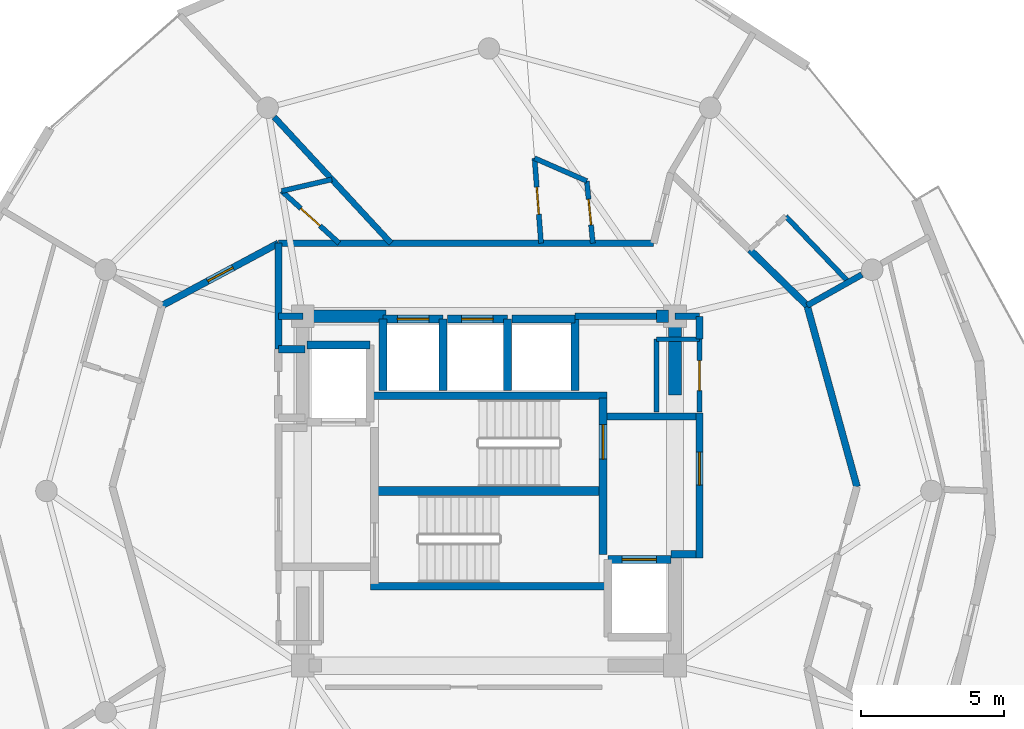
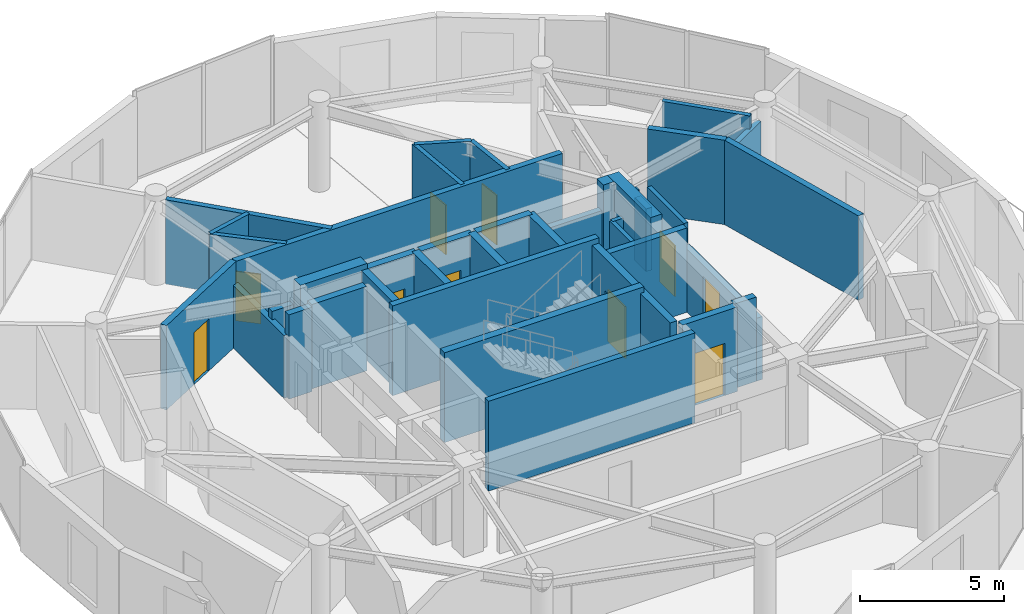
# One storey, part 18 of 22: 40 walls, 10 doors, 10 openings.
"""IFC4 building model written with IfcOpenShell, lengths in metres."""

import ifcopenshell
import ifcopenshell.guid

model = None  # the IFC model being written
_history = None  # IfcOwnerHistory: only IFC2X3 demands one
_inside = {}  # id of a spatial element -> (the spatial element, [elements in it])
_under = {}  # id of a project, library or spatial element -> (it, [spatial elements below it])
_declared = {}  # id of a project -> (the project, [libraries it declares])
_typed = {}  # id of a type object -> (the type object, [elements of that type])
_made_of = {}  # id of a material, layer set ... -> (it, [elements and type objects made of it])


def new_model(schema):
    """Start an empty IFC model of exactly this schema.

    Asked for "IFC4X3", IfcOpenShell would pick the latest addendum, in which some entities
    have other attributes; the version numbers below select the first issue.
    IFC2X3 requires an IfcOwnerHistory on every rooted entity: one is made here for all.
    """
    global model, _history
    if schema == "IFC4X3":
        model = ifcopenshell.file(schema_version=(4, 3, 0, 0))
    else:
        model = ifcopenshell.file(schema=schema)
    _inside.clear()
    _under.clear()
    _declared.clear()
    _typed.clear()
    _made_of.clear()
    _history = None
    if model.schema == "IFC2X3":
        org = make("IfcOrganization", Name="unknown")
        user = make(
            "IfcPersonAndOrganization",
            ThePerson=make("IfcPerson", FamilyName="unknown"),
            TheOrganization=org,
        )
        app = make(
            "IfcApplication",
            ApplicationDeveloper=org,
            Version="unknown",
            ApplicationFullName="unknown",
            ApplicationIdentifier="unknown",
        )
        _history = make(
            "IfcOwnerHistory",
            OwningUser=user,
            OwningApplication=app,
            ChangeAction="ADDED",
            CreationDate=0,
        )
    return model


def make(cls, **values):
    """One entity of the class cls with the attributes given. An attribute that is None is left unset."""
    return model.create_entity(
        cls, **{name: value for name, value in values.items() if value is not None}
    )


def rooted(cls, **values):
    """An entity with a GlobalId (a new one), such as an element, a storey or a relation."""
    return make(cls, GlobalId=ifcopenshell.guid.new(), OwnerHistory=_history, **values)


def si_unit(unit_type, name, prefix=None):
    """IfcSIUnit, for example si_unit("LENGTHUNIT", "METRE", prefix="MILLI")."""
    return make("IfcSIUnit", UnitType=unit_type, Prefix=prefix, Name=name)


def assignment(units):
    """IfcUnitAssignment: the units of a project."""
    return None if units is None else make("IfcUnitAssignment", Units=units)


def point(xyz):
    """IfcCartesianPoint."""
    return None if xyz is None else make("IfcCartesianPoint", Coordinates=xyz)


def direction(xyz):
    """IfcDirection."""
    return None if xyz is None else make("IfcDirection", DirectionRatios=xyz)


def frame(location, z_axis=None, x_axis=None):
    """IfcAxis2Placement3D, a coordinate frame: its origin and axes. An axis left out is left unset."""
    return make(
        "IfcAxis2Placement3D",
        Location=point(location),
        Axis=direction(z_axis),
        RefDirection=direction(x_axis),
    )


def frame_2d(location, x_axis=None):
    """IfcAxis2Placement2D, a coordinate frame in the plane: its origin and x axis."""
    return make(
        "IfcAxis2Placement2D", Location=point(location), RefDirection=direction(x_axis)
    )


def origin():
    """The frame at (0, 0, 0) with its axes left unset."""
    return frame((0.0, 0.0, 0.0))


def place(relative_to, where):
    """IfcLocalPlacement: puts the frame where relative to a parent placement (None: the world)."""
    return make(
        "IfcLocalPlacement", PlacementRelTo=relative_to, RelativePlacement=where
    )


def context(
    kind, dimensions, precision=None, world=None, true_north=None, identifier=None
):
    """IfcGeometricRepresentationContext, for example the 3D "Model" context."""
    return make(
        "IfcGeometricRepresentationContext",
        ContextIdentifier=identifier,
        ContextType=kind,
        CoordinateSpaceDimension=dimensions,
        Precision=precision,
        WorldCoordinateSystem=world,
        TrueNorth=true_north,
    )


def subcontext(parent, identifier, kind, view, scale=None):
    """IfcGeometricRepresentationSubContext, for example "Body" below "Model"."""
    return make(
        "IfcGeometricRepresentationSubContext",
        ContextIdentifier=identifier,
        ContextType=kind,
        ParentContext=parent,
        TargetScale=scale,
        TargetView=view,
    )


def project(units=None, contexts=None):
    """IfcProject with its units and contexts."""
    return rooted(
        "IfcProject",
        Name="project",
        RepresentationContexts=contexts,
        UnitsInContext=assignment(units),
    )


def spatial(cls, under=None, at=None, **own):
    """A site, building, storey or space (cls), placed at a placement, below another one or the project."""
    s = rooted(cls, ObjectPlacement=at, **own)
    if under is not None:
        _under.setdefault(under.id(), (under, []))[1].append(s)
    return s


def profile(cls, at=None, kind="AREA", **sizes):
    """A parametric profile (cls). Its sizes go by their IFC names, for example OverallWidth=200.0."""
    return make(cls, ProfileType=kind, Position=at, **sizes)


def rectangle(**sizes):
    """IfcRectangleProfileDef."""
    return profile("IfcRectangleProfileDef", **sizes)


def extrude(swept, where, along, depth):
    """IfcExtrudedAreaSolid: the profile swept, set in the frame where, extruded along a direction by depth."""
    return make(
        "IfcExtrudedAreaSolid",
        SweptArea=swept,
        Position=where,
        ExtrudedDirection=direction(along),
        Depth=depth,
    )


def shape(context_of_items, identifier, shape_type, items):
    """IfcShapeRepresentation: the items that make up one representation, for example the "Body"."""
    return make(
        "IfcShapeRepresentation",
        ContextOfItems=context_of_items,
        RepresentationIdentifier=identifier,
        RepresentationType=shape_type,
        Items=items,
    )


def material(Name=None, Category=None):
    """IfcMaterial."""
    return make("IfcMaterial", Name=Name, Category=Category)


def layer(
    of_material, thickness, ventilated=None, Name=None, Category=None, Priority=None
):
    """IfcMaterialLayer: one layer of a wall or slab, of a material (None: an air gap)."""
    return make(
        "IfcMaterialLayer",
        Material=of_material,
        LayerThickness=thickness,
        IsVentilated=ventilated,
        Name=Name,
        Category=Category,
        Priority=Priority,
    )


def layer_set(layers, Name=None):
    """IfcMaterialLayerSet."""
    return make("IfcMaterialLayerSet", MaterialLayers=layers, LayerSetName=Name)


def made_of(thing, what):
    """Note that an element or type object is made of a material, layer set ...; save() writes the relation."""
    if what is not None:
        _made_of.setdefault(what.id(), (what, []))[1].append(thing)
    return thing


def type_object(cls, material=None, **own):
    """A type object (cls), such as IfcWallType, which elements share."""
    return made_of(rooted(cls, **own), material)


def element(
    cls,
    number,
    at=None,
    inside=None,
    cuts=None,
    type_object=None,
    material=None,
    context=None,
    identifier="Body",
    shape_type=None,
    held_by="IfcProductDefinitionShape",
    body=None,
    shapes=None,
    **own,
):
    """One element of the class cls, such as IfcWall. Its Tag is "e" and its number.

    at: its placement. inside: the storey or other place that contains it. cuts: it is an
    opening in that element (IfcRelVoidsElement). A single representation is given by context,
    identifier, shape_type and body (its items); several are given by shapes. held_by: the class
    of the entity that holds the representations. save() writes the other relations.
    """
    e = rooted(cls, Tag="e%d" % number, ObjectPlacement=at, **own)
    if body is not None:
        shapes = [shape(context, identifier, shape_type, body)]
    if shapes is not None:
        e.Representation = make(held_by, Representations=shapes)
    if inside is not None:
        _inside.setdefault(inside.id(), (inside, []))[1].append(e)
    if cuts is not None:
        rooted(
            "IfcRelVoidsElement", RelatingBuildingElement=cuts, RelatedOpeningElement=e
        )
    if type_object is not None:
        _typed.setdefault(type_object.id(), (type_object, []))[1].append(e)
    return made_of(e, material)


def fill(opening, filler):
    """IfcRelFillsElement: the door or window that sits in an opening."""
    return rooted(
        "IfcRelFillsElement",
        RelatingOpeningElement=opening,
        RelatedBuildingElement=filler,
    )


def aggregate(whole, parts):
    """IfcRelAggregates: a whole, such as a stair, and the parts it consists of."""
    return rooted("IfcRelAggregates", RelatingObject=whole, RelatedObjects=parts)


def save(model, path):
    """Write the relations noted so far, then the file.

    IfcRelAggregates (storeys below a building ...), IfcRelContainedInSpatialStructure (elements
    in a storey), IfcRelDefinesByType, IfcRelAssociatesMaterial and IfcRelDeclares: one each for
    every whole, place, type object, material and project.
    """
    for whole, parts in _under.values():
        aggregate(whole, parts)
    for where, things in _inside.values():
        rooted(
            "IfcRelContainedInSpatialStructure",
            RelatedElements=things,
            RelatingStructure=where,
        )
    for kind, things in _typed.values():
        rooted("IfcRelDefinesByType", RelatedObjects=things, RelatingType=kind)
    for what, things in _made_of.values():
        rooted("IfcRelAssociatesMaterial", RelatedObjects=things, RelatingMaterial=what)
    for by, libraries in _declared.values():
        rooted("IfcRelDeclares", RelatingContext=by, RelatedDefinitions=libraries)
    model.write(path)


model = new_model("IFC4")

# Units and contexts
model_context = context("Model", 3, precision=1e-05, world=origin(), true_north=direction((0.0, 1.0)))
body_context = subcontext(model_context, "Body", "Model", "MODEL_VIEW")
ifc_project = project(units=[si_unit("LENGTHUNIT", "METRE"), si_unit("AREAUNIT", "SQUARE_METRE"), si_unit("VOLUMEUNIT", "CUBIC_METRE"), si_unit("PLANEANGLEUNIT", "RADIAN"), si_unit("MASSUNIT", "GRAM", prefix="KILO")], contexts=[model_context])

# Site, building, storey
site_placement = place(None, origin())
site = spatial("IfcSite", under=ifc_project, at=site_placement, CompositionType="ELEMENT")
building_placement = place(site_placement, origin())
building = spatial("IfcBuilding", under=site, at=building_placement, Name="Solvirekh Grand Hotel", CompositionType="ELEMENT")
storey_placement = place(building_placement, frame((0.0, 0.0, 293.39990234375)))
storey = spatial("IfcBuildingStorey", under=building, at=storey_placement, Name="L76", CompositionType="ELEMENT", Elevation=293.39990234375)

# Walls
ifc_material_1 = material(Name="Concrete C50/60", Category="concrete")
ifc_layer_1 = layer(ifc_material_1, 0.35009765625)
ifc_layer_set_1 = layer_set([ifc_layer_1], Name="Concrete C50/60")
wall_type_1 = type_object("IfcWallType", Name="CoreDivWall_RC350", PredefinedType="SOLIDWALL", material=ifc_layer_set_1)
for number, where, z_axis, x_axis, name in (
    (1, (-4.1298828125, -3.324951171875, 0.0), (0.0, 0.0, 1.0), (1.0, 0.0, 0.0), "L76 core stair box wall ST-S"),
    (2, (-4.1298828125, 3.324951171875, 0.0), (0.0, 0.0, 1.0), (1.0, 0.0, 0.0), "L76 core stair box wall ST-N"),
):
    element("IfcWall", number, at=place(storey_placement, frame(where, z_axis=z_axis, x_axis=x_axis)), inside=storey, type_object=wall_type_1, Name=name, PredefinedType="SOLIDWALL", context=body_context, shape_type="SweptSolid", body=[
        extrude(rectangle(XDim=8.259765625, YDim=0.25, at=frame_2d((4.1298828125, 0.0))), origin(), (0.0, 0.0, 1.0), 3.800048828125),
    ])

# Wall, opening, door
ifc_material_2 = material(Name="Concrete C40/50", Category="concrete")
ifc_layer_2 = layer(ifc_material_2, 0.280029296875)
ifc_layer_set_2 = layer_set([ifc_layer_2], Name="Concrete C40/50")
wall_type_2 = type_object("IfcWallType", Name="CoreShaftWall_RC280", PredefinedType="SOLIDWALL", material=ifc_layer_set_2)
wall_1_placement = place(storey_placement, frame((-1.60009765625, 6.0, 0.0), z_axis=(0.0, 0.0, 1.0), x_axis=(-1.0, 0.0, 0.0)))
wall_1 = element("IfcWall", 3, at=wall_1_placement, inside=storey, type_object=wall_type_2, Name="L76 HP-1 hoistway N wall", PredefinedType="SOLIDWALL", context=body_context, shape_type="SweptSolid", body=[
    extrude(rectangle(XDim=2.099853515625, YDim=0.280029296875, at=frame_2d((1.0498046875, 0.0))), origin(), (0.0, 0.0, 1.0), 3.570068359375),
])
opening_1_placement = place(wall_1_placement, frame((0.5, 0.0, 0.0)))
opening_1 = element("IfcOpeningElement", 4, at=opening_1_placement, cuts=wall_1, Name="Opening LD01", PredefinedType="OPENING", context=body_context, shape_type="SweptSolid", body=[
    extrude(rectangle(XDim=1.10009765625, YDim=2.199951171875, at=frame_2d((0.550048828125, 1.10009765625))), frame((0.0, 0.14990234375, 0.0), z_axis=(0.0, -1.0, 0.0), x_axis=(1.0, 0.0, 0.0)), (0.0, 0.0, 1.0), 0.300048828125),
])
ifc_material_3 = material(Name="Fire-Rated Steel Door Assembly", Category="steel")
door_type_1 = type_object("IfcDoorType", Name="Door_LiftLanding_1100X2200", OperationType="SLIDING_TO_LEFT", PredefinedType="DOOR", material=ifc_material_3)
door_1_placement = place(opening_1_placement, origin())
door_1 = element("IfcDoor", 5, at=door_1_placement, inside=storey, type_object=door_type_1, Name="L76 HP-1 sliding lift landing door", OperationType="SLIDING_TO_LEFT", OverallHeight=2.199951171875, OverallWidth=1.10009765625, PredefinedType="DOOR", context=body_context, shape_type="SweptSolid", body=[
    extrude(rectangle(XDim=1.10009765625, YDim=2.199951171875, at=frame_2d((0.550048828125, 1.10009765625))), frame((0.0, 0.02490234375, 0.0), z_axis=(0.0, -1.0, 0.0), x_axis=(1.0, 0.0, 0.0)), (0.0, 0.0, 1.0), 0.050048828125),
])
fill(opening_1, door_1)

# Walls
for number, where, z_axis, x_axis, name in (
    (6, (-3.699951171875, 6.0, 0.0), (0.0, 0.0, 1.0), (0.0, -1.0, 0.0), "L76 HP-1 hoistway W wall"),
    (7, (-1.60009765625, 3.5, 0.0), (0.0, 0.0, 1.0), (0.0, 1.0, 0.0), "L76 HP-1 hoistway E wall"),
):
    element("IfcWall", number, at=place(storey_placement, frame(where, z_axis=z_axis, x_axis=x_axis)), inside=storey, type_object=wall_type_2, Name=name, PredefinedType="SOLIDWALL", context=body_context, shape_type="SweptSolid", body=[
        extrude(rectangle(XDim=2.5, YDim=0.280029296875, at=frame_2d((1.25, 0.0))), origin(), (0.0, 0.0, 1.0), 3.570068359375),
    ])

# Wall, opening, door
wall_2_placement = place(storey_placement, frame((0.64990234375, 6.0, 0.0), z_axis=(0.0, 0.0, 1.0), x_axis=(-1.0, 0.0, 0.0)))
wall_2 = element("IfcWall", 8, at=wall_2_placement, inside=storey, type_object=wall_type_2, Name="L76 HP-2 hoistway N wall", PredefinedType="SOLIDWALL", context=body_context, shape_type="SweptSolid", body=[
    extrude(rectangle(XDim=2.099853515625, YDim=0.280029296875, at=frame_2d((1.0498046875, 0.0))), origin(), (0.0, 0.0, 1.0), 3.570068359375),
])
opening_2_placement = place(wall_2_placement, frame((0.5, 0.0, 0.0)))
opening_2 = element("IfcOpeningElement", 9, at=opening_2_placement, cuts=wall_2, Name="Opening LD01", PredefinedType="OPENING", context=body_context, shape_type="SweptSolid", body=[
    extrude(rectangle(XDim=1.10009765625, YDim=2.199951171875, at=frame_2d((0.550048828125, 1.10009765625))), frame((0.0, 0.14990234375, 0.0), z_axis=(0.0, -1.0, 0.0), x_axis=(1.0, 0.0, 0.0)), (0.0, 0.0, 1.0), 0.300048828125),
])
door_2_placement = place(opening_2_placement, origin())
door_2 = element("IfcDoor", 10, at=door_2_placement, inside=storey, type_object=door_type_1, Name="L76 HP-2 sliding lift landing door", OperationType="SLIDING_TO_LEFT", OverallHeight=2.199951171875, OverallWidth=1.10009765625, PredefinedType="DOOR", context=body_context, shape_type="SweptSolid", body=[
    extrude(rectangle(XDim=1.10009765625, YDim=2.199951171875, at=frame_2d((0.550048828125, 1.10009765625))), frame((0.0, 0.02490234375, 0.0), z_axis=(0.0, -1.0, 0.0), x_axis=(1.0, 0.0, 0.0)), (0.0, 0.0, 1.0), 0.050048828125),
])
fill(opening_2, door_2)

# Walls
wall_3_placement = place(storey_placement, frame((0.64990234375, 3.5, 0.0), z_axis=(0.0, 0.0, 1.0), x_axis=(0.0, 1.0, 0.0)))
element("IfcWall", 11, at=wall_3_placement, inside=storey, type_object=wall_type_2, Name="L76 HP-2 hoistway E wall", PredefinedType="SOLIDWALL", context=body_context, shape_type="SweptSolid", body=[
    extrude(rectangle(XDim=2.5, YDim=0.280029296875, at=frame_2d((1.25, 0.0))), origin(), (0.0, 0.0, 1.0), 3.570068359375),
])
wall_4_placement = place(storey_placement, frame((3.0, 6.0, 0.0), z_axis=(0.0, 0.0, 1.0), x_axis=(-1.0, 0.0, 0.0)))
element("IfcWall", 12, at=wall_4_placement, inside=storey, type_object=wall_type_2, Name="L76 EX-1 hoistway N wall", PredefinedType="SOLIDWALL", context=body_context, shape_type="SweptSolid", body=[
    extrude(rectangle(XDim=2.199951171875, YDim=0.280029296875, at=frame_2d((1.10009765625, 0.0))), origin(), (0.0, 0.0, 1.0), 3.570068359375),
])
wall_5_placement = place(storey_placement, frame((3.0, 3.5, 0.0), z_axis=(0.0, 0.0, 1.0), x_axis=(0.0, 1.0, 0.0)))
element("IfcWall", 13, at=wall_5_placement, inside=storey, type_object=wall_type_2, Name="L76 EX-1 hoistway E wall", PredefinedType="SOLIDWALL", context=body_context, shape_type="SweptSolid", body=[
    extrude(rectangle(XDim=2.5, YDim=0.280029296875, at=frame_2d((1.25, 0.0))), origin(), (0.0, 0.0, 1.0), 3.570068359375),
])
wall_6_placement = place(storey_placement, frame((-4.14990234375, 5.10009765625, 0.0), z_axis=(0.0, 0.0, 1.0), x_axis=(-1.0, 0.0, 0.0)))
element("IfcWall", 14, at=wall_6_placement, inside=storey, type_object=wall_type_2, Name="L76 FL-1 hoistway N wall", PredefinedType="SOLIDWALL", context=body_context, shape_type="SweptSolid", body=[
    extrude(rectangle(XDim=2.2001953125, YDim=0.280029296875, at=frame_2d((1.10009765625, 0.0))), origin(), (0.0, 0.0, 1.0), 3.570068359375),
])

# Wall, opening, door
wall_7_placement = place(storey_placement, frame((6.35009765625, -2.39990234375, 0.0), z_axis=(0.0, 0.0, 1.0), x_axis=(-1.0, 0.0, 0.0)))
wall_7 = element("IfcWall", 15, at=wall_7_placement, inside=storey, type_object=wall_type_2, Name="L76 FL-2 hoistway N wall", PredefinedType="SOLIDWALL", context=body_context, shape_type="SweptSolid", body=[
    extrude(rectangle(XDim=2.2001953125, YDim=0.280029296875, at=frame_2d((1.10009765625, 0.0))), origin(), (0.0, 0.0, 1.0), 3.570068359375),
])
opening_3_placement = place(wall_7_placement, frame((0.5, 0.0, 0.0)))
opening_3 = element("IfcOpeningElement", 16, at=opening_3_placement, cuts=wall_7, Name="Opening LD02", PredefinedType="OPENING", context=body_context, shape_type="SweptSolid", body=[
    extrude(rectangle(XDim=1.199951171875, YDim=2.199951171875, at=frame_2d((0.60009765625, 1.10009765625))), frame((0.0, 0.14990234375, 0.0), z_axis=(0.0, -1.0, 0.0), x_axis=(1.0, 0.0, 0.0)), (0.0, 0.0, 1.0), 0.300048828125),
])
door_type_2 = type_object("IfcDoorType", Name="Door_LiftFF_1200X2200", OperationType="SLIDING_TO_LEFT", PredefinedType="DOOR", material=ifc_material_3)
door_3_placement = place(opening_3_placement, origin())
door_3 = element("IfcDoor", 17, at=door_3_placement, inside=storey, type_object=door_type_2, Name="L76 FL-2 sliding lift landing door", OperationType="SLIDING_TO_LEFT", OverallHeight=2.199951171875, OverallWidth=1.199951171875, PredefinedType="DOOR", context=body_context, shape_type="SweptSolid", body=[
    extrude(rectangle(XDim=1.199951171875, YDim=2.199951171875, at=frame_2d((0.60009765625, 1.10009765625))), frame((0.0, 0.02490234375, 0.0), z_axis=(0.0, -1.0, 0.0), x_axis=(1.0, 0.0, 0.0)), (0.0, 0.0, 1.0), 0.050048828125),
])
fill(opening_3, door_3)

wall_8_placement = place(storey_placement, frame((3.989990234375, -2.2099609375, 0.0), z_axis=(0.0, 0.0, 1.0), x_axis=(0.0, 1.0, 0.0)))
wall_8 = element("IfcWall", 18, at=wall_8_placement, inside=storey, type_object=wall_type_2, Name="L76 east stair landing enclosure wall", PredefinedType="SOLIDWALL", context=body_context, shape_type="SweptSolid", body=[
    extrude(rectangle(XDim=5.4599609375, YDim=0.280029296875, at=frame_2d((2.72998046875, 0.0))), origin(), (0.0, 0.0, 1.0), 3.570068359375),
])
opening_4_placement = place(wall_8_placement, frame((3.322998046875, 0.0, 0.0)))
opening_4 = element("IfcOpeningElement", 19, at=opening_4_placement, cuts=wall_8, Name="Opening D05", PredefinedType="OPENING", context=body_context, shape_type="SweptSolid", body=[
    extrude(rectangle(XDim=1.199951171875, YDim=2.199951171875, at=frame_2d((0.60009765625, 1.10009765625))), frame((0.0, 0.14990234375, 0.0), z_axis=(0.0, -1.0, 0.0), x_axis=(1.0, 0.0, 0.0)), (0.0, 0.0, 1.0), 0.300048828125),
])
door_type_3 = type_object("IfcDoorType", Name="Door_StairCore_1200X2200", OperationType="NOTDEFINED", PredefinedType="DOOR", material=ifc_material_3)
door_4_placement = place(opening_4_placement, origin())
door_4 = element("IfcDoor", 20, at=door_4_placement, inside=storey, type_object=door_type_3, Name="L76 exit stair ST-2 fire door", OperationType="SINGLE_SWING_RIGHT", OverallHeight=2.199951171875, OverallWidth=1.199951171875, PredefinedType="DOOR", context=body_context, shape_type="SweptSolid", body=[
    extrude(rectangle(XDim=1.199951171875, YDim=2.199951171875, at=frame_2d((0.60009765625, 1.10009765625))), frame((0.0, 0.02490234375, 0.0), z_axis=(0.0, -1.0, 0.0), x_axis=(1.0, 0.0, 0.0)), (0.0, 0.0, 1.0), 0.050048828125),
])
fill(opening_4, door_4)

# Walls
ifc_layer_3 = layer(ifc_material_1, 0.449951171875)
ifc_layer_set_3 = layer_set([ifc_layer_3], Name="Concrete C50/60")
wall_type_3 = type_object("IfcWallType", Name="CoreWall_RC450", PredefinedType="SHEAR", material=ifc_layer_set_3)
wall_9_placement = place(storey_placement, frame((-3.989990234375, 0.0, 0.0), z_axis=(0.0, 0.0, 1.0), x_axis=(1.0, 0.0, 0.0)))
element("IfcWall", 21, at=wall_9_placement, inside=storey, type_object=wall_type_3, Name="L76 central stair-spine shear wall", PredefinedType="SHEAR", context=body_context, shape_type="SweptSolid", body=[
    extrude(rectangle(XDim=7.97998046875, YDim=0.300048828125, at=frame_2d((3.989990234375, 0.0))), origin(), (0.0, 0.0, 1.0), 3.800048828125),
])
wall_10_placement = place(storey_placement, frame((-6.27490234375, 6.10009765625, 0.0), z_axis=(0.0, 0.0, 1.0), x_axis=(1.0, 0.0, 0.0)))
element("IfcWall", 22, at=wall_10_placement, inside=storey, type_object=wall_type_3, Name="L76 core corner shear wall NW-N", PredefinedType="SHEAR", context=body_context, shape_type="SweptSolid", body=[
    extrude(rectangle(XDim=2.6748046875, YDim=0.449951171875, at=frame_2d((1.33740234375, 0.0))), origin(), (0.0, 0.0, 1.0), 3.800048828125),
])
wall_11_placement = place(storey_placement, frame((5.85009765625, 6.10009765625, 0.0), z_axis=(0.0, 0.0, 1.0), x_axis=(1.0, 0.0, 0.0)))
element("IfcWall", 23, at=wall_11_placement, inside=storey, type_object=wall_type_3, Name="L76 core corner shear wall NE-N", PredefinedType="SHEAR", context=body_context, shape_type="SweptSolid", body=[
    extrude(rectangle(XDim=0.4248046875, YDim=0.449951171875, at=frame_2d((0.21240234375, 0.0))), origin(), (0.0, 0.0, 1.0), 3.800048828125),
])
wall_12_placement = place(storey_placement, frame((6.5, 3.35009765625, 0.0), z_axis=(0.0, 0.0, 1.0), x_axis=(0.0, 1.0, 0.0)))
element("IfcWall", 24, at=wall_12_placement, inside=storey, type_object=wall_type_3, Name="L76 core corner shear wall EN-E", PredefinedType="SHEAR", context=body_context, shape_type="SweptSolid", body=[
    extrude(rectangle(XDim=2.974853515625, YDim=0.449951171875, at=frame_2d((1.4873046875, 0.0))), origin(), (0.0, 0.0, 1.0), 3.800048828125),
])

# Wall, opening, door
ifc_material_4 = material(Name="Acoustic Gypsum Partition Assembly")
ifc_layer_4 = layer(ifc_material_4, 0.1650390625)
ifc_layer_set_4 = layer_set([ifc_layer_4], Name="Acoustic Gypsum Partition Assembly")
wall_type_4 = type_object("IfcWallType", Name="Part_BOH_165", PredefinedType="PARTITIONING", material=ifc_layer_set_4)
wall_13_placement = place(storey_placement, frame((7.35009765625, 2.75, 0.0), z_axis=(0.0, 0.0, 1.0), x_axis=(0.0, 1.0, 0.0)))
wall_13 = element("IfcWall", 25, at=wall_13_placement, inside=storey, type_object=wall_type_4, Name="L76 L76 Telecom Distribution Room wall 2", PredefinedType="PARTITIONING", context=body_context, shape_type="SweptSolid", body=[
    extrude(rectangle(XDim=2.550048828125, YDim=0.1650390625, at=frame_2d((1.27490234375, 0.0))), origin(), (0.0, 0.0, 1.0), 3.570068359375),
])
opening_5_placement = place(wall_13_placement, frame((0.75, 0.0, 0.0)))
opening_5 = element("IfcOpeningElement", 26, at=opening_5_placement, cuts=wall_13, Name="Opening D12", PredefinedType="OPENING", context=body_context, shape_type="SweptSolid", body=[
    extrude(rectangle(XDim=1.050048828125, YDim=2.14990234375, at=frame_2d((0.52490234375, 1.074951171875))), frame((0.0, 0.092529296875, 0.0), z_axis=(0.0, -1.0, 0.0), x_axis=(1.0, 0.0, 0.0)), (0.0, 0.0, 1.0), 0.18505859375),
])
door_type_4 = type_object("IfcDoorType", Name="Door_PlantBOH_1050X2150", OperationType="NOTDEFINED", PredefinedType="DOOR", material=ifc_material_3)
door_5_placement = place(opening_5_placement, origin())
door_5 = element("IfcDoor", 27, at=door_5_placement, inside=storey, type_object=door_type_4, Name="L76 L76 Telecom Distribution Room door", OperationType="SINGLE_SWING_LEFT", OverallHeight=2.14990234375, OverallWidth=1.050048828125, PredefinedType="DOOR", context=body_context, shape_type="SweptSolid", body=[
    extrude(rectangle(XDim=1.050048828125, YDim=2.14990234375, at=frame_2d((0.52490234375, 1.074951171875))), frame((0.0, 0.02490234375, 0.0), z_axis=(0.0, -1.0, 0.0), x_axis=(1.0, 0.0, 0.0)), (0.0, 0.0, 1.0), 0.050048828125),
])
fill(opening_5, door_5)

# Walls
wall_14_placement = place(storey_placement, frame((7.35009765625, 5.300048828125, 0.0), z_axis=(0.0, 0.0, 1.0), x_axis=(-1.0, 0.0, 0.0)))
element("IfcWall", 28, at=wall_14_placement, inside=storey, type_object=wall_type_4, Name="L76 L76 Telecom Distribution Room wall 3", PredefinedType="PARTITIONING", context=body_context, shape_type="SweptSolid", body=[
    extrude(rectangle(XDim=1.5, YDim=0.1650390625, at=frame_2d((0.75, 0.0))), origin(), (0.0, 0.0, 1.0), 2.655029296875),
])
wall_15_placement = place(storey_placement, frame((5.85009765625, 5.300048828125, 0.0), z_axis=(0.0, 0.0, 1.0), x_axis=(0.0, -1.0, 0.0)))
element("IfcWall", 29, at=wall_15_placement, inside=storey, type_object=wall_type_4, Name="L76 L76 Telecom Distribution Room wall 4", PredefinedType="PARTITIONING", context=body_context, shape_type="SweptSolid", body=[
    extrude(rectangle(XDim=2.550048828125, YDim=0.1650390625, at=frame_2d((1.27490234375, 0.0))), origin(), (0.0, 0.0, 1.0), 2.655029296875),
])

# Wall, opening, door
ifc_layer_5 = layer(ifc_material_4, 0.239990234375)
ifc_layer_set_5 = layer_set([ifc_layer_5], Name="Acoustic Gypsum Partition Assembly")
wall_type_5 = type_object("IfcWallType", Name="Part_Corridor_240", PredefinedType="PARTITIONING", material=ifc_layer_set_5)
wall_16_placement = place(storey_placement, frame((7.35009765625, -2.340087890625, 0.0), z_axis=(0.0, 0.0, 1.0), x_axis=(0.0, 1.0, 0.0)))
wall_16 = element("IfcWall", 30, at=wall_16_placement, inside=storey, type_object=wall_type_5, Name="L76 east firefighting lobby smoke screen wall", PredefinedType="PARTITIONING", context=body_context, shape_type="SweptSolid", body=[
    extrude(rectangle(XDim=5.070068359375, YDim=0.239990234375, at=frame_2d((2.53515625, 0.0))), origin(), (0.0, 0.0, 1.0), 2.655029296875),
])
opening_6_placement = place(wall_16_placement, frame((2.548095703125, 0.0, 0.0)))
opening_6 = element("IfcOpeningElement", 31, at=opening_6_placement, cuts=wall_16, Name="Opening D06", PredefinedType="OPENING", context=body_context, shape_type="SweptSolid", body=[
    extrude(rectangle(XDim=1.14990234375, YDim=2.199951171875, at=frame_2d((0.574951171875, 1.10009765625))), frame((0.0, 0.1298828125, 0.0), z_axis=(0.0, -1.0, 0.0), x_axis=(1.0, 0.0, 0.0)), (0.0, 0.0, 1.0), 0.260009765625),
])
door_type_5 = type_object("IfcDoorType", Name="Door_FFLobby_1150X2200", OperationType="NOTDEFINED", PredefinedType="DOOR", material=ifc_material_3)
door_6_placement = place(opening_6_placement, origin())
door_6 = element("IfcDoor", 32, at=door_6_placement, inside=storey, type_object=door_type_5, Name="L76 east firefighting lobby smoke door", OperationType="SINGLE_SWING_RIGHT", OverallHeight=2.199951171875, OverallWidth=1.14990234375, PredefinedType="DOOR", context=body_context, shape_type="SweptSolid", body=[
    extrude(rectangle(XDim=1.14990234375, YDim=2.199951171875, at=frame_2d((0.574951171875, 1.10009765625))), frame((0.0, 0.02490234375, 0.0), z_axis=(0.0, -1.0, 0.0), x_axis=(1.0, 0.0, 0.0)), (0.0, 0.0, 1.0), 0.050048828125),
])
fill(opening_6, door_6)

# Walls
wall_17_placement = place(storey_placement, frame((-7.35009765625, 8.64990234375, 0.0), z_axis=(0.0, 0.0, 1.0), x_axis=(1.0, 0.0, 0.0)))
element("IfcWall", 33, at=wall_17_placement, inside=storey, type_object=wall_type_5, Name="L76 north lift lobby enclosure wall", PredefinedType="PARTITIONING", context=body_context, shape_type="SweptSolid", body=[
    extrude(rectangle(XDim=13.10009765625, YDim=0.239990234375, at=frame_2d((6.550048828125, 0.0))), origin(), (0.0, 0.0, 1.0), 3.570068359375),
])
wall_18_placement = place(storey_placement, frame((3.0, 6.10009765625, 0.0), z_axis=(0.0, 0.0, 1.0), x_axis=(1.0, 0.0, 0.0)))
element("IfcWall", 34, at=wall_18_placement, inside=storey, type_object=wall_type_5, Name="L76 north core shaft infill wall", PredefinedType="PARTITIONING", context=body_context, shape_type="SweptSolid", body=[
    extrude(rectangle(XDim=2.85009765625, YDim=0.239990234375, at=frame_2d((1.425048828125, 0.0))), origin(), (0.0, 0.0, 1.0), 2.655029296875),
])
wall_19_placement = place(storey_placement, frame((7.35009765625, 5.300048828125, 0.0), z_axis=(0.0, 0.0, 1.0), x_axis=(0.0, 1.0, 0.0)))
element("IfcWall", 35, at=wall_19_placement, inside=storey, type_object=wall_type_5, Name="L76 NE core cheek closure wall", PredefinedType="PARTITIONING", context=body_context, shape_type="SweptSolid", body=[
    extrude(rectangle(XDim=0.800048828125, YDim=0.239990234375, at=frame_2d((0.39990234375, 0.0))), origin(), (0.0, 0.0, 1.0), 2.655029296875),
])
wall_20_placement = place(storey_placement, frame((6.5, 6.10009765625, 0.0), z_axis=(0.0, 0.0, 1.0), x_axis=(1.0, 0.0, 0.0)))
element("IfcWall", 36, at=wall_20_placement, inside=storey, type_object=wall_type_5, Name="L76 NE core corner tie wall", PredefinedType="PARTITIONING", context=body_context, shape_type="SweptSolid", body=[
    extrude(rectangle(XDim=0.85009765625, YDim=0.239990234375, at=frame_2d((0.425048828125, 0.0))), origin(), (0.0, 0.0, 1.0), 3.010986328125),
])
wall_21_placement = place(storey_placement, frame((-7.35009765625, 4.949951171875, 0.0), z_axis=(0.0, 0.0, 1.0), x_axis=(0.0, 1.0, 0.0)))
element("IfcWall", 37, at=wall_21_placement, inside=storey, type_object=wall_type_5, Name="L76 north lift lobby west wall", PredefinedType="PARTITIONING", context=body_context, shape_type="SweptSolid", body=[
    extrude(rectangle(XDim=3.699951171875, YDim=0.239990234375, at=frame_2d((1.85009765625, 0.0))), origin(), (0.0, 0.0, 1.0), 2.655029296875),
])
wall_22_placement = place(storey_placement, frame((-7.35009765625, 6.10009765625, 0.0), z_axis=(0.0, 0.0, 1.0), x_axis=(1.0, 0.0, 0.0)))
element("IfcWall", 38, at=wall_22_placement, inside=storey, type_object=wall_type_5, Name="L76 NW core corner closure wall", PredefinedType="PARTITIONING", context=body_context, shape_type="SweptSolid", body=[
    extrude(rectangle(XDim=0.85009765625, YDim=0.239990234375, at=frame_2d((0.425048828125, 0.0))), origin(), (0.0, 0.0, 1.0), 3.010986328125),
])

# Wall, opening, door
wall_23_placement = place(storey_placement, frame((-11.407958984375, 6.47509765625, 0.0), z_axis=(0.0, 0.0, 1.0), x_axis=(0.881394026477, 0.472381805418, 0.0)))
wall_23 = element("IfcWall", 39, at=wall_23_placement, inside=storey, type_object=wall_type_5, Name="L76 Deluxe Guestroom 7802 entrance wall", PredefinedType="PARTITIONING", context=body_context, shape_type="SweptSolid", body=[
    extrude(rectangle(XDim=4.60400390625, YDim=0.239990234375, at=frame_2d((2.302001953125, 0.0))), origin(), (0.0, 0.0, 1.0), 3.570068359375),
])
opening_7_placement = place(wall_23_placement, frame((1.802001953125, 0.0, 0.0)))
opening_7 = element("IfcOpeningElement", 40, at=opening_7_placement, cuts=wall_23, Name="Opening D07", PredefinedType="OPENING", context=body_context, shape_type="SweptSolid", body=[
    extrude(rectangle(XDim=1.0, YDim=2.199951171875, at=frame_2d((0.5, 1.10009765625))), frame((0.0, 0.1298828125, 0.0), z_axis=(0.0, -1.0, 0.0), x_axis=(1.0, 0.0, 0.0)), (0.0, 0.0, 1.0), 0.260009765625),
])
door_type_6 = type_object("IfcDoorType", Name="Door_GuestEntry_1000X2200", OperationType="NOTDEFINED", PredefinedType="DOOR", material=ifc_material_3)
door_7_placement = place(opening_7_placement, origin())
door_7 = element("IfcDoor", 41, at=door_7_placement, inside=storey, type_object=door_type_6, Name="L76 Deluxe Guestroom 7802 entrance door", OperationType="SINGLE_SWING_LEFT", OverallHeight=2.199951171875, OverallWidth=1.0, PredefinedType="DOOR", context=body_context, shape_type="SweptSolid", body=[
    extrude(rectangle(XDim=1.0, YDim=2.199951171875, at=frame_2d((0.5, 1.10009765625))), frame((0.0, 0.02490234375, 0.0), z_axis=(0.0, -1.0, 0.0), x_axis=(1.0, 0.0, 0.0)), (0.0, 0.0, 1.0), 0.050048828125),
])
fill(opening_7, door_7)

# Walls
wall_24_placement = place(storey_placement, frame((12.85009765625, 0.14990234375, 0.0), z_axis=(0.0, 0.0, 1.0), x_axis=(-0.265547396414, 0.964097806375, 0.0)))
element("IfcWall", 42, at=wall_24_placement, inside=storey, type_object=wall_type_5, Name="L76 Executive Suite 7804 Living Room corridor wall 1", PredefinedType="PARTITIONING", context=body_context, shape_type="SweptSolid", body=[
    extrude(rectangle(XDim=6.560791015625, YDim=0.239990234375, at=frame_2d((3.2802734375, 0.0))), origin(), (0.0, 0.0, 1.0), 3.570068359375),
])
wall_25_placement = place(storey_placement, frame((11.10791015625, 6.47509765625, 0.0), z_axis=(0.0, 0.0, 1.0), x_axis=(-0.716543745136, 0.697542157369, 0.0)))
element("IfcWall", 43, at=wall_25_placement, inside=storey, type_object=wall_type_5, Name="L76 En-suite Bathroom 7805 corridor backing wall", PredefinedType="PARTITIONING", context=body_context, shape_type="SweptSolid", body=[
    extrude(rectangle(XDim=2.7880859375, YDim=0.239990234375, at=frame_2d((1.39404296875, 0.0))), origin(), (0.0, 0.0, 1.0), 3.570068359375),
])
ifc_layer_6 = layer(ifc_material_4, 0.260009765625)
ifc_layer_set_6 = layer_set([ifc_layer_6], Name="Acoustic Gypsum Partition Assembly")
wall_type_6 = type_object("IfcWallType", Name="Part_LobbyFF_260", PredefinedType="PARTITIONING", material=ifc_layer_set_6)
wall_26_placement = place(storey_placement, frame((6.35009765625, -2.2099609375, 0.0), z_axis=(0.0, 0.0, 1.0), x_axis=(1.0, 0.0, 0.0)))
element("IfcWall", 44, at=wall_26_placement, inside=storey, type_object=wall_type_6, Name="L76 east firefighting lobby SE cheek", PredefinedType="PARTITIONING", context=body_context, shape_type="SweptSolid", body=[
    extrude(rectangle(XDim=0.875, YDim=0.260009765625, at=frame_2d((0.4375, 0.0))), origin(), (0.0, 0.0, 1.0), 3.570068359375),
])
wall_27_placement = place(storey_placement, frame((4.1298828125, 2.60009765625, 0.0), z_axis=(0.0, 0.0, 1.0), x_axis=(1.0, 0.0, 0.0)))
element("IfcWall", 45, at=wall_27_placement, inside=storey, type_object=wall_type_6, Name="L76 east firefighting lobby north partition", PredefinedType="PARTITIONING", context=body_context, shape_type="SweptSolid", body=[
    extrude(rectangle(XDim=3.09521484375, YDim=0.260009765625, at=frame_2d((1.547607421875, 0.0))), origin(), (0.0, 0.0, 1.0), 3.570068359375),
])
wall_28_placement = place(storey_placement, frame((-7.35009765625, 4.949951171875, 0.0), z_axis=(0.0, 0.0, 1.0), x_axis=(1.0, 0.0, 0.0)))
element("IfcWall", 46, at=wall_28_placement, inside=storey, type_object=wall_type_6, Name="L76 NW telecom metering cupboard north wall", PredefinedType="PARTITIONING", context=body_context, shape_type="SweptSolid", body=[
    extrude(rectangle(XDim=0.93017578125, YDim=0.260009765625, at=frame_2d((0.465087890625, 0.0))), origin(), (0.0, 0.0, 1.0), 3.570068359375),
])
ifc_layer_7 = layer(ifc_material_4, 0.2099609375)
ifc_layer_set_7 = layer_set([ifc_layer_7], Name="Acoustic Gypsum Partition Assembly")
wall_type_7 = type_object("IfcWallType", Name="Part_SuiteDemise_210", PredefinedType="PARTITIONING", material=ifc_layer_set_7)
wall_29_placement = place(storey_placement, frame((11.10791015625, 6.47509765625, 0.0), z_axis=(0.0, 0.0, 1.0), x_axis=(0.87136196096, 0.490640737192, 0.0)))
element("IfcWall", 47, at=wall_29_placement, inside=storey, type_object=wall_type_7, Name="L76 suite radial wall 2 (A)", PredefinedType="PARTITIONING", context=body_context, shape_type="SweptSolid", body=[
    extrude(rectangle(XDim=2.198974609375, YDim=0.2099609375, at=frame_2d((1.099609375, 0.0))), origin(), (0.0, 0.0, 1.0), 3.010986328125),
])
wall_30_placement = place(storey_placement, frame((-3.419921875, 8.64990234375, 0.0), z_axis=(0.0, 0.0, 1.0), x_axis=(-0.679191516768, 0.733961091306, 0.0)))
element("IfcWall", 48, at=wall_30_placement, inside=storey, type_object=wall_type_7, Name="L76 Panorama Suite 7801 North Observatory Study dividing partition 1 (A)", PredefinedType="PARTITIONING", context=body_context, shape_type="SweptSolid", body=[
    extrude(rectangle(XDim=6.00439453125, YDim=0.2099609375, at=frame_2d((3.002197265625, 0.0))), origin(), (0.0, 0.0, 1.0), 3.570068359375),
])
ifc_layer_8 = layer(ifc_material_4, 0.175048828125)
ifc_layer_set_8 = layer_set([ifc_layer_8], Name="Acoustic Gypsum Partition Assembly")
wall_type_8 = type_object("IfcWallType", Name="Plumb_Ensuite_175", PredefinedType="PLUMBINGWALL", material=ifc_layer_set_8)
wall_31_placement = place(storey_placement, frame((1.593017578125, 11.618896484375, 0.0), z_axis=(0.0, 0.0, 1.0), x_axis=(0.916261393795, -0.400580900993, 0.0)))
element("IfcWall", 49, at=wall_31_placement, inside=storey, type_object=wall_type_8, Name="L76 En-suite Bathroom 7801 outer plumbing wall", PredefinedType="PLUMBINGWALL", context=body_context, shape_type="SweptSolid", body=[
    extrude(rectangle(XDim=1.99169921875, YDim=0.175048828125, at=frame_2d((0.995849609375, 0.0))), origin(), (0.0, 0.0, 1.0), 3.570068359375),
])

# Wall, opening, door
wall_32_placement = place(storey_placement, frame((1.593017578125, 11.618896484375, 0.0), z_axis=(0.0, 0.0, 1.0), x_axis=(0.076251330091, -0.99708862929, 0.0)))
wall_32 = element("IfcWall", 50, at=wall_32_placement, inside=storey, type_object=wall_type_8, Name="L76 En-suite Bathroom 7801 side plumbing wall", PredefinedType="PLUMBINGWALL", context=body_context, shape_type="SweptSolid", body=[
    extrude(rectangle(XDim=2.977783203125, YDim=0.175048828125, at=frame_2d((1.48876953125, 0.0))), origin(), (0.0, 0.0, 1.0), 3.570068359375),
])
opening_8_placement = place(wall_32_placement, frame((1.013916015625, 0.0, 0.0)))
opening_8 = element("IfcOpeningElement", 51, at=opening_8_placement, cuts=wall_32, Name="Opening D10", PredefinedType="OPENING", context=body_context, shape_type="SweptSolid", body=[
    extrude(rectangle(XDim=0.949951171875, YDim=2.10009765625, at=frame_2d((0.47509765625, 1.050048828125))), frame((0.0, 0.09765625, 0.0), z_axis=(0.0, -1.0, 0.0), x_axis=(1.0, 0.0, 0.0)), (0.0, 0.0, 1.0), 0.195068359375),
])
ifc_material_5 = material(Name="Anodized Bronze Aluminium 6063-T6", Category="aluminium")
door_type_7 = type_object("IfcDoorType", Name="Door_RoomInt_950X2100", OperationType="NOTDEFINED", PredefinedType="DOOR", material=ifc_material_5)
door_8_placement = place(opening_8_placement, origin())
door_8 = element("IfcDoor", 52, at=door_8_placement, inside=storey, type_object=door_type_7, Name="L76 Panorama Suite 7801 North Observatory Study master bedroom door", OperationType="SINGLE_SWING_LEFT", OverallHeight=2.10009765625, OverallWidth=0.949951171875, PredefinedType="DOOR", context=body_context, shape_type="SweptSolid", body=[
    extrude(rectangle(XDim=0.949951171875, YDim=2.10009765625, at=frame_2d((0.47509765625, 1.050048828125))), frame((0.0, 0.02490234375, 0.0), z_axis=(0.0, -1.0, 0.0), x_axis=(1.0, 0.0, 0.0)), (0.0, 0.0, 1.0), 0.050048828125),
])
fill(opening_8, door_8)

wall_33_placement = place(storey_placement, frame((3.6279296875, 8.64990234375, 0.0), z_axis=(0.0, 0.0, 1.0), x_axis=(-0.096256231413, 0.995356588321, 0.0)))
wall_33 = element("IfcWall", 53, at=wall_33_placement, inside=storey, type_object=wall_type_8, Name="L76 En-suite Bathroom 7801 entry plumbing wall", PredefinedType="PLUMBINGWALL", context=body_context, shape_type="SweptSolid", body=[
    extrude(rectangle(XDim=2.18115234375, YDim=0.175048828125, at=frame_2d((1.090576171875, 0.0))), origin(), (0.0, 0.0, 1.0), 3.570068359375),
])
opening_9_placement = place(wall_33_placement, frame((0.64111328125, 0.0, 0.0)))
opening_9 = element("IfcOpeningElement", 54, at=opening_9_placement, cuts=wall_33, Name="Opening D09", PredefinedType="OPENING", context=body_context, shape_type="SweptSolid", body=[
    extrude(rectangle(XDim=0.89990234375, YDim=2.10009765625, at=frame_2d((0.449951171875, 1.050048828125))), frame((0.0, 0.09765625, 0.0), z_axis=(0.0, -1.0, 0.0), x_axis=(1.0, 0.0, 0.0)), (0.0, 0.0, 1.0), 0.195068359375),
])
door_type_8 = type_object("IfcDoorType", Name="Door_Ensuite_900X2100", OperationType="NOTDEFINED", PredefinedType="DOOR", material=ifc_material_5)
door_9_placement = place(opening_9_placement, origin())
door_9 = element("IfcDoor", 55, at=door_9_placement, inside=storey, type_object=door_type_8, Name="L76 En-suite Bathroom 7801 door", OperationType="SINGLE_SWING_LEFT", OverallHeight=2.10009765625, OverallWidth=0.89990234375, PredefinedType="DOOR", context=body_context, shape_type="SweptSolid", body=[
    extrude(rectangle(XDim=0.89990234375, YDim=2.10009765625, at=frame_2d((0.449951171875, 1.050048828125))), frame((0.0, 0.02490234375, 0.0), z_axis=(0.0, -1.0, 0.0), x_axis=(1.0, 0.0, 0.0)), (0.0, 0.0, 1.0), 0.050048828125),
])
fill(opening_9, door_9)

# Wall
wall_34_placement = place(storey_placement, frame((-7.236083984375, 10.472900390625, 0.0), z_axis=(0.0, 0.0, 1.0), x_axis=(0.974363761538, 0.224978354961, 0.0)))
element("IfcWall", 56, at=wall_34_placement, inside=storey, type_object=wall_type_8, Name="L76 En-suite Bathroom 7802 outer plumbing wall", PredefinedType="PLUMBINGWALL", context=body_context, shape_type="SweptSolid", body=[
    extrude(rectangle(XDim=1.80029296875, YDim=0.175048828125, at=frame_2d((0.900146484375, 0.0))), origin(), (0.0, 0.0, 1.0), 3.570068359375),
])

# Wall, opening, door
wall_35_placement = place(storey_placement, frame((-7.236083984375, 10.472900390625, 0.0), z_axis=(0.0, 0.0, 1.0), x_axis=(0.740400174531, -0.672166334738, 0.0)))
wall_35 = element("IfcWall", 57, at=wall_35_placement, inside=storey, type_object=wall_type_8, Name="L76 En-suite Bathroom 7802 entry plumbing wall", PredefinedType="PLUMBINGWALL", context=body_context, shape_type="SweptSolid", body=[
    extrude(rectangle(XDim=2.712158203125, YDim=0.175048828125, at=frame_2d((1.35595703125, 0.0))), origin(), (0.0, 0.0, 1.0), 3.570068359375),
])
opening_10_placement = place(wall_35_placement, frame((0.906005859375, 0.0, 0.0)))
opening_10 = element("IfcOpeningElement", 58, at=opening_10_placement, cuts=wall_35, Name="Opening D09", PredefinedType="OPENING", context=body_context, shape_type="SweptSolid", body=[
    extrude(rectangle(XDim=0.89990234375, YDim=2.10009765625, at=frame_2d((0.449951171875, 1.050048828125))), frame((0.0, 0.09765625, 0.0), z_axis=(0.0, -1.0, 0.0), x_axis=(1.0, 0.0, 0.0)), (0.0, 0.0, 1.0), 0.195068359375),
])
door_10_placement = place(opening_10_placement, origin())
door_10 = element("IfcDoor", 59, at=door_10_placement, inside=storey, type_object=door_type_8, Name="L76 En-suite Bathroom 7802 door", OperationType="SINGLE_SWING_RIGHT", OverallHeight=2.10009765625, OverallWidth=0.89990234375, PredefinedType="DOOR", context=body_context, shape_type="SweptSolid", body=[
    extrude(rectangle(XDim=0.89990234375, YDim=2.10009765625, at=frame_2d((0.449951171875, 1.050048828125))), frame((0.0, 0.02490234375, 0.0), z_axis=(0.0, -1.0, 0.0), x_axis=(1.0, 0.0, 0.0)), (0.0, 0.0, 1.0), 0.050048828125),
])
fill(opening_10, door_10)

# Wall
wall_36_placement = place(storey_placement, frame((12.55908203125, 7.2919921875, 0.0), z_axis=(0.0, 0.0, 1.0), x_axis=(-0.690718610585, 0.723123641566, 0.0)))
element("IfcWall", 60, at=wall_36_placement, inside=storey, type_object=wall_type_8, Name="L76 En-suite Bathroom 7805 outer plumbing wall", PredefinedType="PLUMBINGWALL", context=body_context, shape_type="SweptSolid", body=[
    extrude(rectangle(XDim=3.179443359375, YDim=0.175048828125, at=frame_2d((1.58984375, 0.0))), origin(), (0.0, 0.0, 1.0), 3.570068359375),
])

save(model, "model.ifc")
